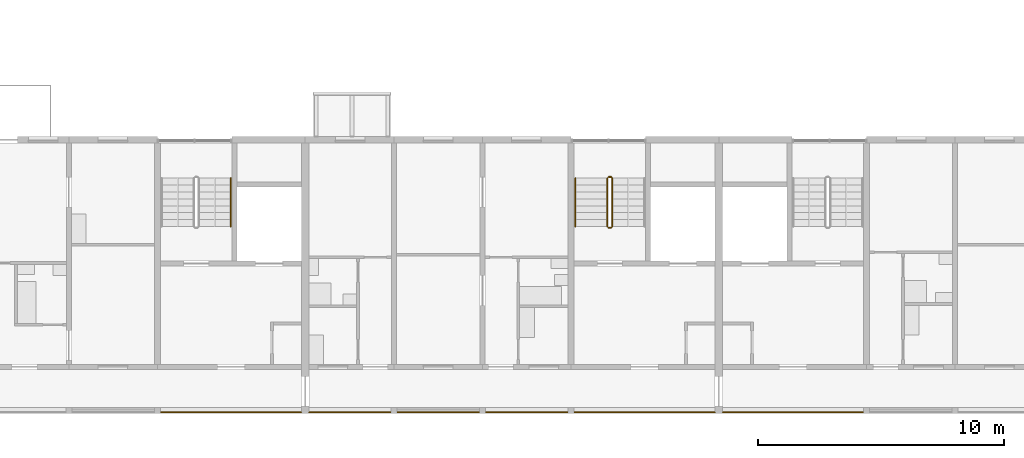
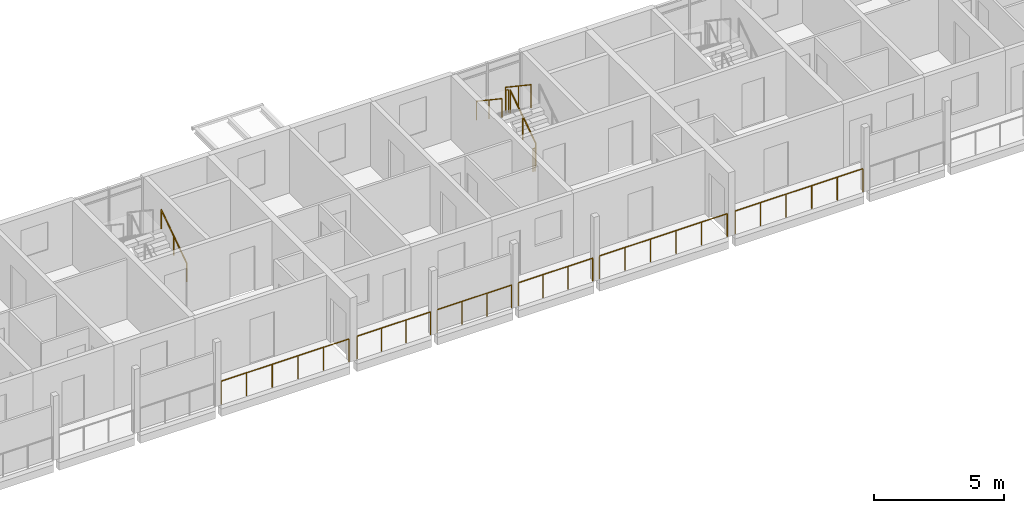
# One storey, part 74 of 87: 12 railings.
"""IFC4 building model written with IfcOpenShell, lengths in metres."""

from ifc_helpers import new_model, si_unit, direction, frame, origin, origin_2d, place, context, subcontext, project, spatial, circle, extrude, material, type_object, element, save


model = new_model("IFC4")

# Units and contexts
model_context = context("Model", 3, precision=1e-05, world=origin(), true_north=direction((0.0, 1.0)))
body_context = subcontext(model_context, "Body", "Model", "MODEL_VIEW")
ifc_project = project(units=[si_unit("LENGTHUNIT", "METRE"), si_unit("AREAUNIT", "SQUARE_METRE"), si_unit("VOLUMEUNIT", "CUBIC_METRE"), si_unit("PLANEANGLEUNIT", "RADIAN"), si_unit("MASSUNIT", "GRAM", prefix="KILO")], contexts=[model_context])

# Site, building, storey
site_placement = place(None, origin())
site = spatial("IfcSite", under=ifc_project, at=site_placement, CompositionType="ELEMENT")
building_placement = place(site_placement, origin())
building = spatial("IfcBuilding", under=site, at=building_placement, Name="Ridgestep Commons", CompositionType="ELEMENT")
storey_placement = place(building_placement, frame((0.0, 0.0, 27.0)))
storey = spatial("IfcBuildingStorey", under=building, at=storey_placement, Name="L09", CompositionType="ELEMENT", Elevation=27.0)

# Railings
ifc_material_1 = material(Name="Structural steel S355JR", Category="steel")
railing_type_1 = type_object("IfcRailingType", Name="Guard 1100", PredefinedType="GUARDRAIL", material=ifc_material_1)
railing_1_placement = place(storey_placement, frame((73.345947265625, 11.800048828125, 0.0)))
element("IfcRailing", 1, at=railing_1_placement, inside=storey, type_object=railing_type_1, Name="Gallery guard A 09.16", PredefinedType="GUARDRAIL", context=body_context, shape_type="SweptSolid", body=[
    extrude(circle(Radius=0.02392578125, at=origin_2d()), frame((0.0, 0.0, 1.076171875), z_axis=(1.0, 0.0, 0.0), x_axis=(0.0, 1.0, 0.0)), (0.0, 0.0, 1.0), 5.68310546875),
    extrude(circle(Radius=0.02099609375, at=origin_2d()), origin(), (0.0, 0.0, 1.0), 1.052001953125),
    extrude(circle(Radius=0.02099609375, at=origin_2d()), frame((1.13671875, 0.0, 0.0)), (0.0, 0.0, 1.0), 1.052001953125),
    extrude(circle(Radius=0.02099609375, at=origin_2d()), frame((2.273193359375, 0.0, 0.0)), (0.0, 0.0, 1.0), 1.052001953125),
    extrude(circle(Radius=0.02099609375, at=origin_2d()), frame((3.409912109375, 0.0, 0.0)), (0.0, 0.0, 1.0), 1.052001953125),
    extrude(circle(Radius=0.02099609375, at=origin_2d()), frame((4.54638671875, 0.0, 0.0)), (0.0, 0.0, 1.0), 1.052001953125),
    extrude(circle(Radius=0.02099609375, at=origin_2d()), frame((5.68310546875, 0.0, 0.0)), (0.0, 0.0, 1.0), 1.052001953125),
])
railing_2_placement = place(storey_placement, frame((79.37109375, 11.800048828125, 0.0)))
element("IfcRailing", 2, at=railing_2_placement, inside=storey, type_object=railing_type_1, Name="Gallery guard A 09.17", PredefinedType="GUARDRAIL", context=body_context, shape_type="SweptSolid", body=[
    extrude(circle(Radius=0.02392578125, at=origin_2d()), frame((0.0, 0.0, 1.076171875), z_axis=(1.0, 0.0, 0.0), x_axis=(0.0, 1.0, 0.0)), (0.0, 0.0, 1.0), 3.282958984375),
    extrude(circle(Radius=0.02099609375, at=origin_2d()), origin(), (0.0, 0.0, 1.0), 1.052001953125),
    extrude(circle(Radius=0.02099609375, at=origin_2d()), frame((1.09423828125, 0.0, 0.0)), (0.0, 0.0, 1.0), 1.052001953125),
    extrude(circle(Radius=0.02099609375, at=origin_2d()), frame((2.188720703125, 0.0, 0.0)), (0.0, 0.0, 1.0), 1.052001953125),
    extrude(circle(Radius=0.02099609375, at=origin_2d()), frame((3.282958984375, 0.0, 0.0)), (0.0, 0.0, 1.0), 1.052001953125),
])
railing_3_placement = place(storey_placement, frame((82.946044921875, 11.800048828125, 0.0)))
element("IfcRailing", 3, at=railing_3_placement, inside=storey, type_object=railing_type_1, Name="Gallery guard A 09.18", PredefinedType="GUARDRAIL", context=body_context, shape_type="SweptSolid", body=[
    extrude(circle(Radius=0.02392578125, at=origin_2d()), frame((0.0, 0.0, 1.076171875), z_axis=(1.0, 0.0, 0.0), x_axis=(0.0, 1.0, 0.0)), (0.0, 0.0, 1.0), 3.307861328125),
    extrude(circle(Radius=0.02099609375, at=origin_2d()), origin(), (0.0, 0.0, 1.0), 1.052001953125),
    extrude(circle(Radius=0.02099609375, at=origin_2d()), frame((1.1025390625, 0.0, 0.0)), (0.0, 0.0, 1.0), 1.052001953125),
    extrude(circle(Radius=0.02099609375, at=origin_2d()), frame((2.205322265625, 0.0, 0.0)), (0.0, 0.0, 1.0), 1.052001953125),
    extrude(circle(Radius=0.02099609375, at=origin_2d()), frame((3.307861328125, 0.0, 0.0)), (0.0, 0.0, 1.0), 1.052001953125),
])
railing_4_placement = place(storey_placement, frame((86.5458984375, 11.800048828125, 0.0)))
element("IfcRailing", 4, at=railing_4_placement, inside=storey, type_object=railing_type_1, Name="Gallery guard A 09.19", PredefinedType="GUARDRAIL", context=body_context, shape_type="SweptSolid", body=[
    extrude(circle(Radius=0.02392578125, at=origin_2d()), frame((0.0, 0.0, 1.076171875), z_axis=(1.0, 0.0, 0.0), x_axis=(0.0, 1.0, 0.0)), (0.0, 0.0, 1.0), 3.30810546875),
    extrude(circle(Radius=0.02099609375, at=origin_2d()), origin(), (0.0, 0.0, 1.0), 1.052001953125),
    extrude(circle(Radius=0.02099609375, at=origin_2d()), frame((1.102783203125, 0.0, 0.0)), (0.0, 0.0, 1.0), 1.052001953125),
    extrude(circle(Radius=0.02099609375, at=origin_2d()), frame((2.205322265625, 0.0, 0.0)), (0.0, 0.0, 1.0), 1.052001953125),
    extrude(circle(Radius=0.02099609375, at=origin_2d()), frame((3.30810546875, 0.0, 0.0)), (0.0, 0.0, 1.0), 1.052001953125),
])
for number, where, name in (
    (5, (90.14599609375, 11.800048828125, 0.0), "Gallery guard A 09.20"),
    (6, (96.1708984375, 11.800048828125, 0.0), "Gallery guard A 09.21"),
):
    element("IfcRailing", number, at=place(storey_placement, frame(where)), inside=storey, type_object=railing_type_1, Name=name, PredefinedType="GUARDRAIL", context=body_context, shape_type="SweptSolid", body=[
        extrude(circle(Radius=0.02392578125, at=origin_2d()), frame((0.0, 0.0, 1.076171875), z_axis=(1.0, 0.0, 0.0), x_axis=(0.0, 1.0, 0.0)), (0.0, 0.0, 1.0), 5.68310546875),
        extrude(circle(Radius=0.02099609375, at=origin_2d()), origin(), (0.0, 0.0, 1.0), 1.052001953125),
        extrude(circle(Radius=0.02099609375, at=origin_2d()), frame((1.13671875, 0.0, 0.0)), (0.0, 0.0, 1.0), 1.052001953125),
        extrude(circle(Radius=0.02099609375, at=origin_2d()), frame((2.273193359375, 0.0, 0.0)), (0.0, 0.0, 1.0), 1.052001953125),
        extrude(circle(Radius=0.02099609375, at=origin_2d()), frame((3.409912109375, 0.0, 0.0)), (0.0, 0.0, 1.0), 1.052001953125),
        extrude(circle(Radius=0.02099609375, at=origin_2d()), frame((4.54638671875, 0.0, 0.0)), (0.0, 0.0, 1.0), 1.052001953125),
        extrude(circle(Radius=0.02099609375, at=origin_2d()), frame((5.68310546875, 0.0, 0.0)), (0.0, 0.0, 1.0), 1.052001953125),
    ])
ifc_material_2 = material(Name="Structural steel S355JR", Category="steel")
railing_type_2 = type_object("IfcRailingType", Name="Stair guard 1100", PredefinedType="GUARDRAIL", material=ifc_material_2)
railing_5_placement = place(storey_placement, frame((91.675048828125, 19.35009765625, 0.1875)))
element("IfcRailing", 7, at=railing_5_placement, inside=storey, type_object=railing_type_2, Name="L09 A5C stair guard 1", PredefinedType="GUARDRAIL", context=body_context, shape_type="SweptSolid", body=[
    extrude(circle(Radius=0.02392578125, at=origin_2d()), frame((0.0, 0.0, 1.076171875), z_axis=(0.0, 0.830902050051, 0.556418712142), x_axis=(-1.0, 0.0, 0.0)), (0.0, 0.0, 1.0), 2.35888671875),
    extrude(circle(Radius=0.02099609375, at=origin_2d()), origin(), (0.0, 0.0, 1.0), 1.052001953125),
    extrude(circle(Radius=0.02099609375, at=origin_2d()), frame((0.0, 0.97998046875, 0.65625)), (0.0, 0.0, 1.0), 1.052001953125),
    extrude(circle(Radius=0.02099609375, at=origin_2d()), frame((0.0, 1.9599609375, 1.3125)), (0.0, 0.0, 1.0), 1.052001953125),
])
railing_6_placement = place(storey_placement, frame((91.625, 21.360107421875, 1.5)))
element("IfcRailing", 8, at=railing_6_placement, inside=storey, type_object=railing_type_2, Name="L09 A5C stair guard 2", PredefinedType="GUARDRAIL", context=body_context, shape_type="SweptSolid", body=[
    extrude(circle(Radius=0.02392578125, at=origin_2d()), frame((0.0, 0.0, 1.076171875), z_axis=(-1.0, 0.0, 0.0), x_axis=(0.0, -1.0, 0.0)), (0.0, 0.0, 1.0), 0.10009765625),
    extrude(circle(Radius=0.02099609375, at=origin_2d()), origin(), (0.0, 0.0, 1.0), 1.052001953125),
    extrude(circle(Radius=0.02099609375, at=origin_2d()), frame((-0.10009765625, 0.0, 0.0)), (0.0, 0.0, 1.0), 1.052001953125),
])
railing_7_placement = place(storey_placement, frame((91.47509765625, 21.31005859375, 1.6875)))
element("IfcRailing", 9, at=railing_7_placement, inside=storey, type_object=railing_type_2, Name="L09 A5C stair guard 3", PredefinedType="GUARDRAIL", context=body_context, shape_type="SweptSolid", body=[
    extrude(circle(Radius=0.02392578125, at=origin_2d()), frame((0.0, 0.0, 1.076171875), z_axis=(0.0, -0.830902050051, 0.556418712142), x_axis=(1.0, 0.0, 0.0)), (0.0, 0.0, 1.0), 2.35888671875),
    extrude(circle(Radius=0.02099609375, at=origin_2d()), origin(), (0.0, 0.0, 1.0), 1.052001953125),
    extrude(circle(Radius=0.02099609375, at=origin_2d()), frame((0.0, -0.97998046875, 0.65625)), (0.0, 0.0, 1.0), 1.052001953125),
    extrude(circle(Radius=0.02099609375, at=origin_2d()), frame((0.0, -1.9599609375, 1.3125)), (0.0, 0.0, 1.0), 1.052001953125),
])
railing_8_placement = place(storey_placement, frame((91.625, 19.300048828125, 0.0)))
element("IfcRailing", 10, at=railing_8_placement, inside=storey, type_object=railing_type_2, Name="L09 A5C stair guard 4", PredefinedType="GUARDRAIL", context=body_context, shape_type="SweptSolid", body=[
    extrude(circle(Radius=0.02392578125, at=origin_2d()), frame((0.0, 0.0, 1.076171875), z_axis=(-1.0, 0.0, 0.0), x_axis=(0.0, -1.0, 0.0)), (0.0, 0.0, 1.0), 0.10009765625),
    extrude(circle(Radius=0.02099609375, at=origin_2d()), origin(), (0.0, 0.0, 1.0), 1.052001953125),
    extrude(circle(Radius=0.02099609375, at=origin_2d()), frame((-0.10009765625, 0.0, 0.0)), (0.0, 0.0, 1.0), 1.052001953125),
])
ifc_material_3 = material(Name="Structural steel S355JR", Category="steel")
railing_type_3 = type_object("IfcRailingType", Name="Stair handrail 900", PredefinedType="HANDRAIL", material=ifc_material_3)
railing_9_placement = place(storey_placement, frame((76.175048828125, 19.35009765625, 0.1875)))
element("IfcRailing", 11, at=railing_9_placement, inside=storey, type_object=railing_type_3, Name="L09 A4C stair handrail 1", PredefinedType="HANDRAIL", context=body_context, shape_type="SweptSolid", body=[
    extrude(circle(Radius=0.02392578125, at=origin_2d()), frame((0.0, 0.0, 0.8759765625), z_axis=(0.0, 0.830902050051, 0.556418712142), x_axis=(-1.0, 0.0, 0.0)), (0.0, 0.0, 1.0), 2.35888671875),
    extrude(circle(Radius=0.02099609375, at=origin_2d()), origin(), (0.0, 0.0, 1.0), 0.851806640625),
    extrude(circle(Radius=0.02099609375, at=origin_2d()), frame((0.0, 0.97998046875, 0.65625)), (0.0, 0.0, 1.0), 0.851806640625),
    extrude(circle(Radius=0.02099609375, at=origin_2d()), frame((0.0, 1.9599609375, 1.3125)), (0.0, 0.0, 1.0), 0.851806640625),
])
railing_10_placement = place(storey_placement, frame((90.175048828125, 21.31005859375, 1.6875)))
element("IfcRailing", 12, at=railing_10_placement, inside=storey, type_object=railing_type_3, Name="L09 A5C stair handrail 2", PredefinedType="HANDRAIL", context=body_context, shape_type="SweptSolid", body=[
    extrude(circle(Radius=0.02392578125, at=origin_2d()), frame((0.0, 0.0, 0.8759765625), z_axis=(0.0, -0.830902050051, 0.556418712142), x_axis=(1.0, 0.0, 0.0)), (0.0, 0.0, 1.0), 2.35888671875),
    extrude(circle(Radius=0.02099609375, at=origin_2d()), origin(), (0.0, 0.0, 1.0), 0.851806640625),
    extrude(circle(Radius=0.02099609375, at=origin_2d()), frame((0.0, -0.97998046875, 0.65625)), (0.0, 0.0, 1.0), 0.851806640625),
    extrude(circle(Radius=0.02099609375, at=origin_2d()), frame((0.0, -1.9599609375, 1.3125)), (0.0, 0.0, 1.0), 0.851806640625),
])

save(model, "model.ifc")
